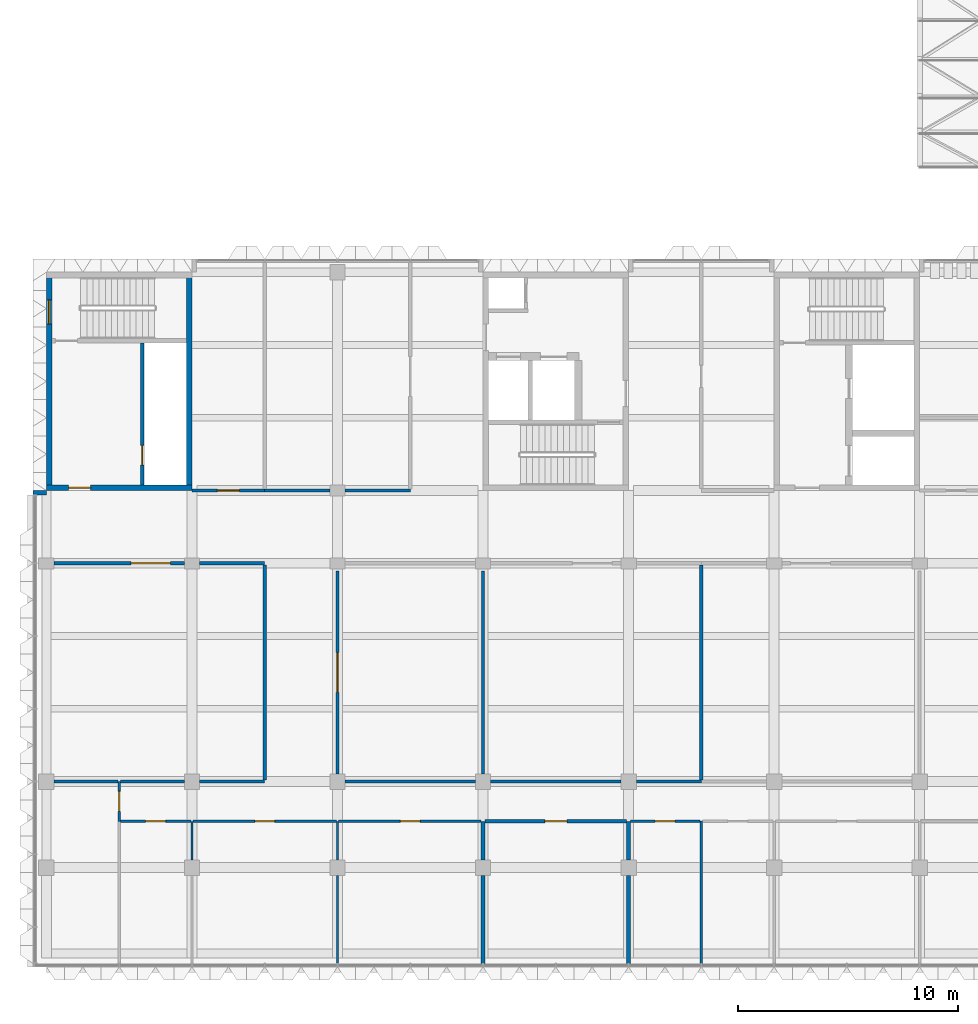
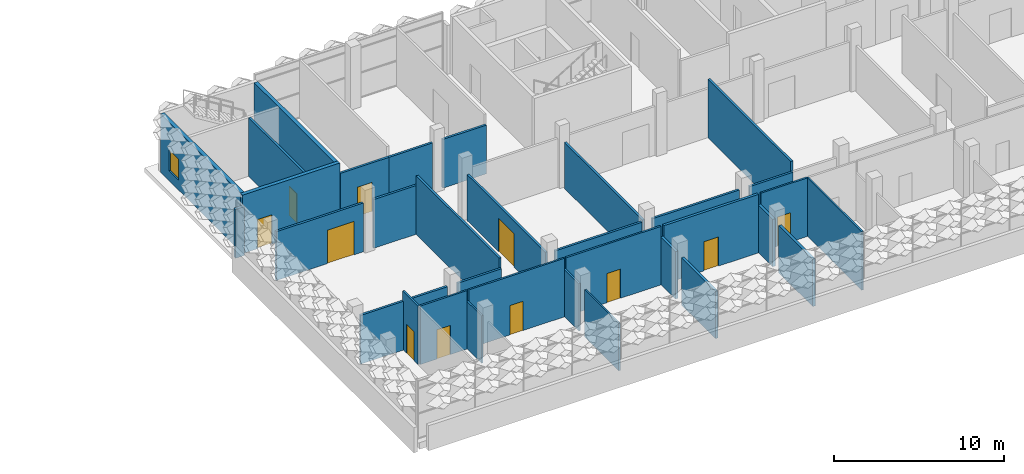
# One storey, part 25 of 85: 34 walls, 11 doors, 1 window, 12 openings.
"""IFC4 building model written with IfcOpenShell, lengths in metres."""

import ifcopenshell
import ifcopenshell.guid

model = None  # the IFC model being written
_history = None  # IfcOwnerHistory: only IFC2X3 demands one
_inside = {}  # id of a spatial element -> (the spatial element, [elements in it])
_under = {}  # id of a project, library or spatial element -> (it, [spatial elements below it])
_declared = {}  # id of a project -> (the project, [libraries it declares])
_typed = {}  # id of a type object -> (the type object, [elements of that type])
_made_of = {}  # id of a material, layer set ... -> (it, [elements and type objects made of it])


def new_model(schema):
    """Start an empty IFC model of exactly this schema.

    Asked for "IFC4X3", IfcOpenShell would pick the latest addendum, in which some entities
    have other attributes; the version numbers below select the first issue.
    IFC2X3 requires an IfcOwnerHistory on every rooted entity: one is made here for all.
    """
    global model, _history
    if schema == "IFC4X3":
        model = ifcopenshell.file(schema_version=(4, 3, 0, 0))
    else:
        model = ifcopenshell.file(schema=schema)
    _inside.clear()
    _under.clear()
    _declared.clear()
    _typed.clear()
    _made_of.clear()
    _history = None
    if model.schema == "IFC2X3":
        org = make("IfcOrganization", Name="unknown")
        user = make(
            "IfcPersonAndOrganization",
            ThePerson=make("IfcPerson", FamilyName="unknown"),
            TheOrganization=org,
        )
        app = make(
            "IfcApplication",
            ApplicationDeveloper=org,
            Version="unknown",
            ApplicationFullName="unknown",
            ApplicationIdentifier="unknown",
        )
        _history = make(
            "IfcOwnerHistory",
            OwningUser=user,
            OwningApplication=app,
            ChangeAction="ADDED",
            CreationDate=0,
        )
    return model


def make(cls, **values):
    """One entity of the class cls with the attributes given. An attribute that is None is left unset."""
    return model.create_entity(
        cls, **{name: value for name, value in values.items() if value is not None}
    )


def rooted(cls, **values):
    """An entity with a GlobalId (a new one), such as an element, a storey or a relation."""
    return make(cls, GlobalId=ifcopenshell.guid.new(), OwnerHistory=_history, **values)


def si_unit(unit_type, name, prefix=None):
    """IfcSIUnit, for example si_unit("LENGTHUNIT", "METRE", prefix="MILLI")."""
    return make("IfcSIUnit", UnitType=unit_type, Prefix=prefix, Name=name)


def assignment(units):
    """IfcUnitAssignment: the units of a project."""
    return None if units is None else make("IfcUnitAssignment", Units=units)


def point(xyz):
    """IfcCartesianPoint."""
    return None if xyz is None else make("IfcCartesianPoint", Coordinates=xyz)


def direction(xyz):
    """IfcDirection."""
    return None if xyz is None else make("IfcDirection", DirectionRatios=xyz)


def frame(location, z_axis=None, x_axis=None):
    """IfcAxis2Placement3D, a coordinate frame: its origin and axes. An axis left out is left unset."""
    return make(
        "IfcAxis2Placement3D",
        Location=point(location),
        Axis=direction(z_axis),
        RefDirection=direction(x_axis),
    )


def frame_2d(location, x_axis=None):
    """IfcAxis2Placement2D, a coordinate frame in the plane: its origin and x axis."""
    return make(
        "IfcAxis2Placement2D", Location=point(location), RefDirection=direction(x_axis)
    )


def origin():
    """The frame at (0, 0, 0) with its axes left unset."""
    return frame((0.0, 0.0, 0.0))


def place(relative_to, where):
    """IfcLocalPlacement: puts the frame where relative to a parent placement (None: the world)."""
    return make(
        "IfcLocalPlacement", PlacementRelTo=relative_to, RelativePlacement=where
    )


def context(
    kind, dimensions, precision=None, world=None, true_north=None, identifier=None
):
    """IfcGeometricRepresentationContext, for example the 3D "Model" context."""
    return make(
        "IfcGeometricRepresentationContext",
        ContextIdentifier=identifier,
        ContextType=kind,
        CoordinateSpaceDimension=dimensions,
        Precision=precision,
        WorldCoordinateSystem=world,
        TrueNorth=true_north,
    )


def subcontext(parent, identifier, kind, view, scale=None):
    """IfcGeometricRepresentationSubContext, for example "Body" below "Model"."""
    return make(
        "IfcGeometricRepresentationSubContext",
        ContextIdentifier=identifier,
        ContextType=kind,
        ParentContext=parent,
        TargetScale=scale,
        TargetView=view,
    )


def project(units=None, contexts=None):
    """IfcProject with its units and contexts."""
    return rooted(
        "IfcProject",
        Name="project",
        RepresentationContexts=contexts,
        UnitsInContext=assignment(units),
    )


def spatial(cls, under=None, at=None, **own):
    """A site, building, storey or space (cls), placed at a placement, below another one or the project."""
    s = rooted(cls, ObjectPlacement=at, **own)
    if under is not None:
        _under.setdefault(under.id(), (under, []))[1].append(s)
    return s


def profile(cls, at=None, kind="AREA", **sizes):
    """A parametric profile (cls). Its sizes go by their IFC names, for example OverallWidth=200.0."""
    return make(cls, ProfileType=kind, Position=at, **sizes)


def rectangle(**sizes):
    """IfcRectangleProfileDef."""
    return profile("IfcRectangleProfileDef", **sizes)


def extrude(swept, where, along, depth):
    """IfcExtrudedAreaSolid: the profile swept, set in the frame where, extruded along a direction by depth."""
    return make(
        "IfcExtrudedAreaSolid",
        SweptArea=swept,
        Position=where,
        ExtrudedDirection=direction(along),
        Depth=depth,
    )


def shape(context_of_items, identifier, shape_type, items):
    """IfcShapeRepresentation: the items that make up one representation, for example the "Body"."""
    return make(
        "IfcShapeRepresentation",
        ContextOfItems=context_of_items,
        RepresentationIdentifier=identifier,
        RepresentationType=shape_type,
        Items=items,
    )


def material(Name=None, Category=None):
    """IfcMaterial."""
    return make("IfcMaterial", Name=Name, Category=Category)


def layer(
    of_material, thickness, ventilated=None, Name=None, Category=None, Priority=None
):
    """IfcMaterialLayer: one layer of a wall or slab, of a material (None: an air gap)."""
    return make(
        "IfcMaterialLayer",
        Material=of_material,
        LayerThickness=thickness,
        IsVentilated=ventilated,
        Name=Name,
        Category=Category,
        Priority=Priority,
    )


def layer_set(layers, Name=None):
    """IfcMaterialLayerSet."""
    return make("IfcMaterialLayerSet", MaterialLayers=layers, LayerSetName=Name)


def made_of(thing, what):
    """Note that an element or type object is made of a material, layer set ...; save() writes the relation."""
    if what is not None:
        _made_of.setdefault(what.id(), (what, []))[1].append(thing)
    return thing


def type_object(cls, material=None, **own):
    """A type object (cls), such as IfcWallType, which elements share."""
    return made_of(rooted(cls, **own), material)


def element(
    cls,
    number,
    at=None,
    inside=None,
    cuts=None,
    type_object=None,
    material=None,
    context=None,
    identifier="Body",
    shape_type=None,
    held_by="IfcProductDefinitionShape",
    body=None,
    shapes=None,
    **own,
):
    """One element of the class cls, such as IfcWall. Its Tag is "e" and its number.

    at: its placement. inside: the storey or other place that contains it. cuts: it is an
    opening in that element (IfcRelVoidsElement). A single representation is given by context,
    identifier, shape_type and body (its items); several are given by shapes. held_by: the class
    of the entity that holds the representations. save() writes the other relations.
    """
    e = rooted(cls, Tag="e%d" % number, ObjectPlacement=at, **own)
    if body is not None:
        shapes = [shape(context, identifier, shape_type, body)]
    if shapes is not None:
        e.Representation = make(held_by, Representations=shapes)
    if inside is not None:
        _inside.setdefault(inside.id(), (inside, []))[1].append(e)
    if cuts is not None:
        rooted(
            "IfcRelVoidsElement", RelatingBuildingElement=cuts, RelatedOpeningElement=e
        )
    if type_object is not None:
        _typed.setdefault(type_object.id(), (type_object, []))[1].append(e)
    return made_of(e, material)


def fill(opening, filler):
    """IfcRelFillsElement: the door or window that sits in an opening."""
    return rooted(
        "IfcRelFillsElement",
        RelatingOpeningElement=opening,
        RelatedBuildingElement=filler,
    )


def aggregate(whole, parts):
    """IfcRelAggregates: a whole, such as a stair, and the parts it consists of."""
    return rooted("IfcRelAggregates", RelatingObject=whole, RelatedObjects=parts)


def save(model, path):
    """Write the relations noted so far, then the file.

    IfcRelAggregates (storeys below a building ...), IfcRelContainedInSpatialStructure (elements
    in a storey), IfcRelDefinesByType, IfcRelAssociatesMaterial and IfcRelDeclares: one each for
    every whole, place, type object, material and project.
    """
    for whole, parts in _under.values():
        aggregate(whole, parts)
    for where, things in _inside.values():
        rooted(
            "IfcRelContainedInSpatialStructure",
            RelatedElements=things,
            RelatingStructure=where,
        )
    for kind, things in _typed.values():
        rooted("IfcRelDefinesByType", RelatedObjects=things, RelatingType=kind)
    for what, things in _made_of.values():
        rooted("IfcRelAssociatesMaterial", RelatedObjects=things, RelatingMaterial=what)
    for by, libraries in _declared.values():
        rooted("IfcRelDeclares", RelatingContext=by, RelatedDefinitions=libraries)
    model.write(path)


model = new_model("IFC4")

# Units and contexts
model_context = context("Model", 3, precision=1e-05, world=origin(), true_north=direction((0.0, 1.0)))
body_context = subcontext(model_context, "Body", "Model", "MODEL_VIEW")
ifc_project = project(units=[si_unit("LENGTHUNIT", "METRE"), si_unit("AREAUNIT", "SQUARE_METRE"), si_unit("VOLUMEUNIT", "CUBIC_METRE"), si_unit("PLANEANGLEUNIT", "RADIAN"), si_unit("MASSUNIT", "GRAM", prefix="KILO")], contexts=[model_context])

# Site, building, storey
site_placement = place(None, origin())
site = spatial("IfcSite", under=ifc_project, at=site_placement, CompositionType="ELEMENT")
building_placement = place(site_placement, origin())
building = spatial("IfcBuilding", under=site, at=building_placement, Name="Lantern Court Research Institute", CompositionType="ELEMENT")
storey_placement = place(building_placement, frame((0.0, 0.0, 18.89990234375)))
storey = spatial("IfcBuildingStorey", under=building, at=storey_placement, Name="L04", CompositionType="ELEMENT", Elevation=18.89990234375)

# Walls
ifc_material_1 = material(Name="Double-stud acoustic gypsum board partition, mineral wool filled")
ifc_layer_1 = layer(ifc_material_1, 0.175048828125)
ifc_layer_set_1 = layer_set([ifc_layer_1], Name="Double-stud acoustic gypsum board partition, mineral wool filled")
wall_type_1 = type_object("IfcWallType", Name="Acoustic partition 175 EI 60", PredefinedType="PARTITIONING", material=ifc_layer_set_1)
wall_1_placement = place(storey_placement, frame((19.800048828125, -8.25, 0.0), z_axis=(0.0, 0.0, 1.0), x_axis=(0.0, 1.0, 0.0)))
element("IfcWall", 1, at=wall_1_placement, inside=storey, type_object=wall_type_1, Name="Acoustic partition 175 EI 60", PredefinedType="PARTITIONING", context=body_context, shape_type="SweptSolid", body=[
    extrude(rectangle(XDim=4.0, YDim=0.175048828125, at=frame_2d((2.0, 0.0))), origin(), (0.0, 0.0, 1.0), 3.400146484375),
])
wall_2_placement = place(storey_placement, frame((19.800048828125, -3.550048828125, 0.0), z_axis=(0.0, 0.0, 1.0), x_axis=(0.0, 1.0, 0.0)))
element("IfcWall", 2, at=wall_2_placement, inside=storey, type_object=wall_type_1, Name="Acoustic partition 175 EI 60", PredefinedType="PARTITIONING", context=body_context, shape_type="SweptSolid", body=[
    extrude(rectangle(XDim=1.75, YDim=0.175048828125, at=frame_2d((0.875, 0.0))), origin(), (0.0, 0.0, 1.0), 3.400146484375),
])
wall_3_placement = place(storey_placement, frame((26.39990234375, -8.25, 0.0), z_axis=(0.0, 0.0, 1.0), x_axis=(0.0, 1.0, 0.0)))
element("IfcWall", 3, at=wall_3_placement, inside=storey, type_object=wall_type_1, Name="Acoustic partition 175 EI 60", PredefinedType="PARTITIONING", context=body_context, shape_type="SweptSolid", body=[
    extrude(rectangle(XDim=4.0, YDim=0.175048828125, at=frame_2d((2.0, 0.0))), origin(), (0.0, 0.0, 1.0), 3.400146484375),
])
wall_4_placement = place(storey_placement, frame((26.39990234375, -3.550048828125, 0.0), z_axis=(0.0, 0.0, 1.0), x_axis=(0.0, 1.0, 0.0)))
element("IfcWall", 4, at=wall_4_placement, inside=storey, type_object=wall_type_1, Name="Acoustic partition 175 EI 60", PredefinedType="PARTITIONING", context=body_context, shape_type="SweptSolid", body=[
    extrude(rectangle(XDim=1.75, YDim=0.175048828125, at=frame_2d((0.875, 0.0))), origin(), (0.0, 0.0, 1.0), 3.400146484375),
])

# Wall, opening, door
wall_5_placement = place(storey_placement, frame((26.3125, -1.800048828125, 0.0), z_axis=(0.0, 0.0, 1.0), x_axis=(-1.0, 0.0, 0.0)))
wall_5 = element("IfcWall", 5, at=wall_5_placement, inside=storey, type_object=wall_type_1, Name="Acoustic partition 175 EI 60", PredefinedType="PARTITIONING", context=body_context, shape_type="SweptSolid", body=[
    extrude(rectangle(XDim=6.425048828125, YDim=0.175048828125, at=frame_2d((3.21240234375, 0.0))), origin(), (0.0, 0.0, 1.0), 4.2001953125),
])
opening_1_placement = place(wall_5_placement, frame((2.71240234375, 0.0, 0.0)))
opening_1 = element("IfcOpeningElement", 6, at=opening_1_placement, cuts=wall_5, Name="Opening D4416", PredefinedType="OPENING", context=body_context, shape_type="SweptSolid", body=[
    extrude(rectangle(XDim=1.0, YDim=2.10009765625, at=frame_2d((0.5, 1.050048828125))), frame((0.0, 0.097412109375, 0.0), z_axis=(0.0, -1.0, 0.0), x_axis=(1.0, 0.0, 0.0)), (0.0, 0.0, 1.0), 0.195068359375),
])
ifc_material_2 = material(Name="Solid-core timber door leaf", Category="wood")
ifc_layer_2 = layer(ifc_material_2, 0.053955078125)
ifc_layer_set_2 = layer_set([ifc_layer_2], Name="Solid-core timber door leaf")
door_type_1 = type_object("IfcDoorType", Name="Meeting room door 1000 x 2100 single FD30S", OperationType="NOTDEFINED", PredefinedType="DOOR", material=ifc_layer_set_2)
door_1_placement = place(opening_1_placement, origin())
door_1 = element("IfcDoor", 7, at=door_1_placement, inside=storey, type_object=door_type_1, Name="Door D4416", OperationType="SINGLE_SWING_LEFT", OverallHeight=2.10009765625, OverallWidth=1.0, PredefinedType="DOOR", context=body_context, shape_type="SweptSolid", body=[
    extrude(rectangle(XDim=1.0, YDim=2.10009765625, at=frame_2d((0.5, 1.050048828125))), frame((0.0, 0.02685546875, 0.0), z_axis=(0.0, -1.0, 0.0), x_axis=(1.0, 0.0, 0.0)), (0.0, 0.0, 1.0), 0.053955078125),
])
fill(opening_1, door_1)

ifc_material_3 = material(Name="Fire-rated gypsum board partition, mineral wool filled")
ifc_layer_3 = layer(ifc_material_3, 0.125)
ifc_layer_set_3 = layer_set([ifc_layer_3], Name="Fire-rated gypsum board partition, mineral wool filled")
wall_type_2 = type_object("IfcWallType", Name="Corridor partition 125 EI 60", PredefinedType="PARTITIONING", material=ifc_layer_set_3)
wall_6_placement = place(storey_placement, frame((3.300048828125, -1.800048828125, 0.0), z_axis=(0.0, 0.0, 1.0), x_axis=(0.0, 1.0, 0.0)))
wall_6 = element("IfcWall", 8, at=wall_6_placement, inside=storey, type_object=wall_type_2, Name="Corridor partition 125 EI 60", PredefinedType="PARTITIONING", context=body_context, shape_type="SweptSolid", body=[
    extrude(rectangle(XDim=1.800048828125, YDim=0.125, at=frame_2d((0.89990234375, 0.0))), origin(), (0.0, 0.0, 1.0), 4.2001953125),
])
opening_2_placement = place(wall_6_placement, frame((0.449951171875, 0.0, 0.0)))
opening_2 = element("IfcOpeningElement", 9, at=opening_2_placement, cuts=wall_6, Name="Opening D4412", PredefinedType="OPENING", context=body_context, shape_type="SweptSolid", body=[
    extrude(rectangle(XDim=0.89990234375, YDim=2.10009765625, at=frame_2d((0.449951171875, 1.050048828125))), frame((0.0, 0.072509765625, 0.0), z_axis=(0.0, -1.0, 0.0), x_axis=(1.0, 0.0, 0.0)), (0.0, 0.0, 1.0), 0.14501953125),
])
ifc_material_4 = material(Name="Solid-core timber door leaf", Category="wood")
ifc_layer_4 = layer(ifc_material_4, 0.053955078125)
ifc_layer_set_4 = layer_set([ifc_layer_4], Name="Solid-core timber door leaf")
door_type_2 = type_object("IfcDoorType", Name="Office door 900 x 2100 single FD30S", OperationType="NOTDEFINED", PredefinedType="DOOR", material=ifc_layer_set_4)
door_2_placement = place(opening_2_placement, origin())
door_2 = element("IfcDoor", 10, at=door_2_placement, inside=storey, type_object=door_type_2, Name="Door D4412", OperationType="SINGLE_SWING_LEFT", OverallHeight=2.10009765625, OverallWidth=0.89990234375, PredefinedType="DOOR", context=body_context, shape_type="SweptSolid", body=[
    extrude(rectangle(XDim=0.89990234375, YDim=2.10009765625, at=frame_2d((0.449951171875, 1.050048828125))), frame((0.0, 0.02685546875, 0.0), z_axis=(0.0, -1.0, 0.0), x_axis=(1.0, 0.0, 0.0)), (0.0, 0.0, 1.0), 0.053955078125),
])
fill(opening_2, door_2)

wall_7_placement = place(storey_placement, frame((6.544921875, -1.800048828125, 0.0), z_axis=(0.0, 0.0, 1.0), x_axis=(-1.0, 0.0, 0.0)))
wall_7 = element("IfcWall", 11, at=wall_7_placement, inside=storey, type_object=wall_type_2, Name="Corridor partition 125 EI 60", PredefinedType="PARTITIONING", context=body_context, shape_type="SweptSolid", body=[
    extrude(rectangle(XDim=3.182373046875, YDim=0.125, at=frame_2d((1.59130859375, 0.0))), origin(), (0.0, 0.0, 1.0), 4.2001953125),
])
opening_3_placement = place(wall_7_placement, frame((1.14501953125, 0.0, 0.0)))
opening_3 = element("IfcOpeningElement", 12, at=opening_3_placement, cuts=wall_7, Name="Opening D4413", PredefinedType="OPENING", context=body_context, shape_type="SweptSolid", body=[
    extrude(rectangle(XDim=0.89990234375, YDim=2.10009765625, at=frame_2d((0.449951171875, 1.050048828125))), frame((0.0, 0.072509765625, 0.0), z_axis=(0.0, -1.0, 0.0), x_axis=(1.0, 0.0, 0.0)), (0.0, 0.0, 1.0), 0.14501953125),
])
door_3_placement = place(opening_3_placement, origin())
door_3 = element("IfcDoor", 13, at=door_3_placement, inside=storey, type_object=door_type_2, Name="Door D4413", OperationType="SINGLE_SWING_LEFT", OverallHeight=2.10009765625, OverallWidth=0.89990234375, PredefinedType="DOOR", context=body_context, shape_type="SweptSolid", body=[
    extrude(rectangle(XDim=0.89990234375, YDim=2.10009765625, at=frame_2d((0.449951171875, 1.050048828125))), frame((0.0, 0.02685546875, 0.0), z_axis=(0.0, -1.0, 0.0), x_axis=(1.0, 0.0, 0.0)), (0.0, 0.0, 1.0), 0.053955078125),
])
fill(opening_3, door_3)

wall_8_placement = place(storey_placement, frame((13.14501953125, -1.800048828125, 0.0), z_axis=(0.0, 0.0, 1.0), x_axis=(-1.0, 0.0, 0.0)))
wall_8 = element("IfcWall", 14, at=wall_8_placement, inside=storey, type_object=wall_type_2, Name="Corridor partition 125 EI 60", PredefinedType="PARTITIONING", context=body_context, shape_type="SweptSolid", body=[
    extrude(rectangle(XDim=6.489990234375, YDim=0.125, at=frame_2d((3.2451171875, 0.0))), origin(), (0.0, 0.0, 1.0), 4.2001953125),
])
opening_4_placement = place(wall_8_placement, frame((2.794921875, 0.0, 0.0)))
opening_4 = element("IfcOpeningElement", 15, at=opening_4_placement, cuts=wall_8, Name="Opening D4414", PredefinedType="OPENING", context=body_context, shape_type="SweptSolid", body=[
    extrude(rectangle(XDim=0.89990234375, YDim=2.10009765625, at=frame_2d((0.449951171875, 1.050048828125))), frame((0.0, 0.072509765625, 0.0), z_axis=(0.0, -1.0, 0.0), x_axis=(1.0, 0.0, 0.0)), (0.0, 0.0, 1.0), 0.14501953125),
])
door_4_placement = place(opening_4_placement, origin())
door_4 = element("IfcDoor", 16, at=door_4_placement, inside=storey, type_object=door_type_2, Name="Door D4414", OperationType="SINGLE_SWING_LEFT", OverallHeight=2.10009765625, OverallWidth=0.89990234375, PredefinedType="DOOR", context=body_context, shape_type="SweptSolid", body=[
    extrude(rectangle(XDim=0.89990234375, YDim=2.10009765625, at=frame_2d((0.449951171875, 1.050048828125))), frame((0.0, 0.02685546875, 0.0), z_axis=(0.0, -1.0, 0.0), x_axis=(1.0, 0.0, 0.0)), (0.0, 0.0, 1.0), 0.053955078125),
])
fill(opening_4, door_4)

wall_9_placement = place(storey_placement, frame((19.71240234375, -1.800048828125, 0.0), z_axis=(0.0, 0.0, 1.0), x_axis=(-1.0, 0.0, 0.0)))
wall_9 = element("IfcWall", 17, at=wall_9_placement, inside=storey, type_object=wall_type_2, Name="Corridor partition 125 EI 60", PredefinedType="PARTITIONING", context=body_context, shape_type="SweptSolid", body=[
    extrude(rectangle(XDim=6.45751953125, YDim=0.125, at=frame_2d((3.228759765625, 0.0))), origin(), (0.0, 0.0, 1.0), 4.2001953125),
])
opening_5_placement = place(wall_9_placement, frame((2.762451171875, 0.0, 0.0)))
opening_5 = element("IfcOpeningElement", 18, at=opening_5_placement, cuts=wall_9, Name="Opening D4415", PredefinedType="OPENING", context=body_context, shape_type="SweptSolid", body=[
    extrude(rectangle(XDim=0.89990234375, YDim=2.10009765625, at=frame_2d((0.449951171875, 1.050048828125))), frame((0.0, 0.072509765625, 0.0), z_axis=(0.0, -1.0, 0.0), x_axis=(1.0, 0.0, 0.0)), (0.0, 0.0, 1.0), 0.14501953125),
])
door_5_placement = place(opening_5_placement, origin())
door_5 = element("IfcDoor", 19, at=door_5_placement, inside=storey, type_object=door_type_2, Name="Door D4415", OperationType="SINGLE_SWING_LEFT", OverallHeight=2.10009765625, OverallWidth=0.89990234375, PredefinedType="DOOR", context=body_context, shape_type="SweptSolid", body=[
    extrude(rectangle(XDim=0.89990234375, YDim=2.10009765625, at=frame_2d((0.449951171875, 1.050048828125))), frame((0.0, 0.02685546875, 0.0), z_axis=(0.0, -1.0, 0.0), x_axis=(1.0, 0.0, 0.0)), (0.0, 0.0, 1.0), 0.053955078125),
])
fill(opening_5, door_5)

wall_10_placement = place(storey_placement, frame((29.64501953125, -1.800048828125, 0.0), z_axis=(0.0, 0.0, 1.0), x_axis=(-1.0, 0.0, 0.0)))
wall_10 = element("IfcWall", 20, at=wall_10_placement, inside=storey, type_object=wall_type_2, Name="Corridor partition 125 EI 60", PredefinedType="PARTITIONING", context=body_context, shape_type="SweptSolid", body=[
    extrude(rectangle(XDim=3.157470703125, YDim=0.125, at=frame_2d((1.57861328125, 0.0))), origin(), (0.0, 0.0, 1.0), 4.2001953125),
])
opening_6_placement = place(wall_10_placement, frame((1.14501953125, 0.0, 0.0)))
opening_6 = element("IfcOpeningElement", 21, at=opening_6_placement, cuts=wall_10, Name="Opening D4417", PredefinedType="OPENING", context=body_context, shape_type="SweptSolid", body=[
    extrude(rectangle(XDim=0.89990234375, YDim=2.10009765625, at=frame_2d((0.449951171875, 1.050048828125))), frame((0.0, 0.072509765625, 0.0), z_axis=(0.0, -1.0, 0.0), x_axis=(1.0, 0.0, 0.0)), (0.0, 0.0, 1.0), 0.14501953125),
])
door_6_placement = place(opening_6_placement, origin())
door_6 = element("IfcDoor", 22, at=door_6_placement, inside=storey, type_object=door_type_2, Name="Door D4417", OperationType="SINGLE_SWING_LEFT", OverallHeight=2.10009765625, OverallWidth=0.89990234375, PredefinedType="DOOR", context=body_context, shape_type="SweptSolid", body=[
    extrude(rectangle(XDim=0.89990234375, YDim=2.10009765625, at=frame_2d((0.449951171875, 1.050048828125))), frame((0.0, 0.02685546875, 0.0), z_axis=(0.0, -1.0, 0.0), x_axis=(1.0, 0.0, 0.0)), (0.0, 0.0, 1.0), 0.053955078125),
])
fill(opening_6, door_6)

ifc_material_5 = material(Name="Fire-rated gypsum board partition, mineral wool filled")
ifc_layer_5 = layer(ifc_material_5, 0.14990234375)
ifc_layer_set_5 = layer_set([ifc_layer_5], Name="Fire-rated gypsum board partition, mineral wool filled")
wall_type_3 = type_object("IfcWallType", Name="Laboratory partition 150 EI 60", PredefinedType="PARTITIONING", material=ifc_layer_set_5)
wall_11_placement = place(storey_placement, frame((9.89990234375, 13.199951171875, 0.0), z_axis=(0.0, 0.0, 1.0), x_axis=(-1.0, 0.0, 0.0)))
wall_11 = element("IfcWall", 23, at=wall_11_placement, inside=storey, type_object=wall_type_3, Name="Laboratory partition 150 EI 60", PredefinedType="PARTITIONING", context=body_context, shape_type="SweptSolid", body=[
    extrude(rectangle(XDim=3.2998046875, YDim=0.14990234375, at=frame_2d((1.64990234375, 0.0))), origin(), (0.0, 0.0, 1.0), 3.5),
])
opening_7_placement = place(wall_11_placement, frame((1.14990234375, 0.0, 0.0)))
opening_7 = element("IfcOpeningElement", 24, at=opening_7_placement, cuts=wall_11, Name="Opening D4402", PredefinedType="OPENING", context=body_context, shape_type="SweptSolid", body=[
    extrude(rectangle(XDim=1.0, YDim=2.10009765625, at=frame_2d((0.5, 1.050048828125))), frame((0.0, 0.0849609375, 0.0), z_axis=(0.0, -1.0, 0.0), x_axis=(1.0, 0.0, 0.0)), (0.0, 0.0, 1.0), 0.169921875),
])
ifc_material_6 = material(Name="Solid-core timber door leaf with vision panel", Category="wood")
ifc_layer_6 = layer(ifc_material_6, 0.053955078125)
ifc_layer_set_6 = layer_set([ifc_layer_6], Name="Solid-core timber door leaf with vision panel")
door_type_3 = type_object("IfcDoorType", Name="Laboratory door 1000 x 2100 single FD30S", OperationType="NOTDEFINED", PredefinedType="DOOR", material=ifc_layer_set_6)
door_7_placement = place(opening_7_placement, origin())
door_7 = element("IfcDoor", 25, at=door_7_placement, inside=storey, type_object=door_type_3, Name="Door D4402", OperationType="SINGLE_SWING_LEFT", OverallHeight=2.10009765625, OverallWidth=1.0, PredefinedType="DOOR", context=body_context, shape_type="SweptSolid", body=[
    extrude(rectangle(XDim=1.0, YDim=2.10009765625, at=frame_2d((0.5, 1.050048828125))), frame((0.0, 0.02685546875, 0.0), z_axis=(0.0, -1.0, 0.0), x_axis=(1.0, 0.0, 0.0)), (0.0, 0.0, 1.0), 0.053955078125),
])
fill(opening_7, door_7)

# Walls
wall_12_placement = place(storey_placement, frame((16.5, 13.199951171875, 0.0), z_axis=(0.0, 0.0, 1.0), x_axis=(-1.0, 0.0, 0.0)))
element("IfcWall", 26, at=wall_12_placement, inside=storey, type_object=wall_type_3, Name="Laboratory partition 150 EI 60", PredefinedType="PARTITIONING", context=body_context, shape_type="SweptSolid", body=[
    extrude(rectangle(XDim=2.949951171875, YDim=0.14990234375, at=frame_2d((1.47509765625, 0.0))), origin(), (0.0, 0.0, 1.0), 3.5),
])
wall_13_placement = place(storey_placement, frame((12.85009765625, 13.199951171875, 0.0), z_axis=(0.0, 0.0, 1.0), x_axis=(-1.0, 0.0, 0.0)))
element("IfcWall", 27, at=wall_13_placement, inside=storey, type_object=wall_type_3, Name="Laboratory partition 150 EI 60", PredefinedType="PARTITIONING", context=body_context, shape_type="SweptSolid", body=[
    extrude(rectangle(XDim=2.9501953125, YDim=0.14990234375, at=frame_2d((1.47509765625, 0.0))), origin(), (0.0, 0.0, 1.0), 3.5),
])

# Wall, opening, door
wall_14_placement = place(storey_placement, frame((0.35009765625, 9.89990234375, 0.0), z_axis=(0.0, 0.0, 1.0), x_axis=(1.0, 0.0, 0.0)))
wall_14 = element("IfcWall", 28, at=wall_14_placement, inside=storey, type_object=wall_type_3, Name="Laboratory partition 150 EI 60", PredefinedType="PARTITIONING", context=body_context, shape_type="SweptSolid", body=[
    extrude(rectangle(XDim=5.89990234375, YDim=0.14990234375, at=frame_2d((2.949951171875, 0.0))), origin(), (0.0, 0.0, 1.0), 3.5),
])
opening_8_placement = place(wall_14_placement, frame((3.47509765625, 0.0, 0.0)))
opening_8 = element("IfcOpeningElement", 29, at=opening_8_placement, cuts=wall_14, Name="Opening D4422", PredefinedType="OPENING", context=body_context, shape_type="SweptSolid", body=[
    extrude(rectangle(XDim=1.800048828125, YDim=2.39990234375, at=frame_2d((0.89990234375, 1.199951171875))), frame((0.0, 0.0849609375, 0.0), z_axis=(0.0, -1.0, 0.0), x_axis=(1.0, 0.0, 0.0)), (0.0, 0.0, 1.0), 0.169921875),
])
ifc_material_7 = material(Name="Solid-core timber door leaf with vision panel", Category="wood")
ifc_layer_7 = layer(ifc_material_7, 0.053955078125)
ifc_layer_set_7 = layer_set([ifc_layer_7], Name="Solid-core timber door leaf with vision panel")
door_type_4 = type_object("IfcDoorType", Name="Laboratory equipment door 1800 x 2400 pair FD30S", OperationType="DOUBLE_DOOR_SINGLE_SWING", PredefinedType="DOOR", material=ifc_layer_set_7)
door_8_placement = place(opening_8_placement, origin())
door_8 = element("IfcDoor", 30, at=door_8_placement, inside=storey, type_object=door_type_4, Name="Door D4422", OperationType="DOUBLE_DOOR_SINGLE_SWING", OverallHeight=2.39990234375, OverallWidth=1.800048828125, PredefinedType="DOOR", context=body_context, shape_type="SweptSolid", body=[
    extrude(rectangle(XDim=1.800048828125, YDim=2.39990234375, at=frame_2d((0.89990234375, 1.199951171875))), frame((0.0, 0.02685546875, 0.0), z_axis=(0.0, -1.0, 0.0), x_axis=(1.0, 0.0, 0.0)), (0.0, 0.0, 1.0), 0.053955078125),
])
fill(opening_8, door_8)

# Walls
wall_15_placement = place(storey_placement, frame((6.949951171875, 9.89990234375, 0.0), z_axis=(0.0, 0.0, 1.0), x_axis=(1.0, 0.0, 0.0)))
element("IfcWall", 31, at=wall_15_placement, inside=storey, type_object=wall_type_3, Name="Laboratory partition 150 EI 60", PredefinedType="PARTITIONING", context=body_context, shape_type="SweptSolid", body=[
    extrude(rectangle(XDim=2.949951171875, YDim=0.14990234375, at=frame_2d((1.47509765625, 0.0))), origin(), (0.0, 0.0, 1.0), 3.5),
])
wall_16_placement = place(storey_placement, frame((3.237548828125, 0.0, 0.0), z_axis=(0.0, 0.0, 1.0), x_axis=(-1.0, 0.0, 0.0)))
element("IfcWall", 32, at=wall_16_placement, inside=storey, type_object=wall_type_3, Name="Laboratory partition 150 EI 60", PredefinedType="PARTITIONING", context=body_context, shape_type="SweptSolid", body=[
    extrude(rectangle(XDim=2.887451171875, YDim=0.14990234375, at=frame_2d((1.44384765625, 0.0))), origin(), (0.0, 0.0, 1.0), 3.5),
])
wall_17_placement = place(storey_placement, frame((9.89990234375, 0.0, 0.0), z_axis=(0.0, 0.0, 1.0), x_axis=(-1.0, 0.0, 0.0)))
element("IfcWall", 33, at=wall_17_placement, inside=storey, type_object=wall_type_3, Name="Laboratory partition 150 EI 60", PredefinedType="PARTITIONING", context=body_context, shape_type="SweptSolid", body=[
    extrude(rectangle(XDim=2.949951171875, YDim=0.14990234375, at=frame_2d((1.47509765625, 0.0))), origin(), (0.0, 0.0, 1.0), 3.5),
])
wall_18_placement = place(storey_placement, frame((6.25, 0.0, 0.0), z_axis=(0.0, 0.0, 1.0), x_axis=(-1.0, 0.0, 0.0)))
element("IfcWall", 34, at=wall_18_placement, inside=storey, type_object=wall_type_3, Name="Laboratory partition 150 EI 60", PredefinedType="PARTITIONING", context=body_context, shape_type="SweptSolid", body=[
    extrude(rectangle(XDim=2.887451171875, YDim=0.14990234375, at=frame_2d((1.44384765625, 0.0))), origin(), (0.0, 0.0, 1.0), 3.5),
])
wall_19_placement = place(storey_placement, frame((19.449951171875, 0.0, 0.0), z_axis=(0.0, 0.0, 1.0), x_axis=(-1.0, 0.0, 0.0)))
element("IfcWall", 35, at=wall_19_placement, inside=storey, type_object=wall_type_3, Name="Laboratory partition 150 EI 60", PredefinedType="PARTITIONING", context=body_context, shape_type="SweptSolid", body=[
    extrude(rectangle(XDim=5.89990234375, YDim=0.14990234375, at=frame_2d((2.949951171875, 0.0))), origin(), (0.0, 0.0, 1.0), 3.5),
])
wall_20_placement = place(storey_placement, frame((29.699951171875, 0.0, 0.0), z_axis=(0.0, 0.0, 1.0), x_axis=(-1.0, 0.0, 0.0)))
element("IfcWall", 36, at=wall_20_placement, inside=storey, type_object=wall_type_3, Name="Laboratory partition 150 EI 60", PredefinedType="PARTITIONING", context=body_context, shape_type="SweptSolid", body=[
    extrude(rectangle(XDim=2.949951171875, YDim=0.14990234375, at=frame_2d((1.47509765625, 0.0))), origin(), (0.0, 0.0, 1.0), 3.5),
])
wall_21_placement = place(storey_placement, frame((26.050048828125, 0.0, 0.0), z_axis=(0.0, 0.0, 1.0), x_axis=(-1.0, 0.0, 0.0)))
element("IfcWall", 37, at=wall_21_placement, inside=storey, type_object=wall_type_3, Name="Laboratory partition 150 EI 60", PredefinedType="PARTITIONING", context=body_context, shape_type="SweptSolid", body=[
    extrude(rectangle(XDim=5.900146484375, YDim=0.14990234375, at=frame_2d((2.9501953125, 0.0))), origin(), (0.0, 0.0, 1.0), 3.5),
])
wall_22_placement = place(storey_placement, frame((9.89990234375, 0.074951171875, 0.0), z_axis=(0.0, 0.0, 1.0), x_axis=(0.0, 1.0, 0.0)))
element("IfcWall", 38, at=wall_22_placement, inside=storey, type_object=wall_type_3, Name="Laboratory partition 150 EI 60", PredefinedType="PARTITIONING", context=body_context, shape_type="SweptSolid", body=[
    extrude(rectangle(XDim=9.75, YDim=0.14990234375, at=frame_2d((4.875, 0.0))), origin(), (0.0, 0.0, 1.0), 4.2001953125),
])

# Wall, opening, door
wall_23_placement = place(storey_placement, frame((13.199951171875, 0.35009765625, 0.0), z_axis=(0.0, 0.0, 1.0), x_axis=(0.0, 1.0, 0.0)))
wall_23 = element("IfcWall", 39, at=wall_23_placement, inside=storey, type_object=wall_type_3, Name="Laboratory partition 150 EI 60", PredefinedType="PARTITIONING", context=body_context, shape_type="SweptSolid", body=[
    extrude(rectangle(XDim=9.199951171875, YDim=0.14990234375, at=frame_2d((4.60009765625, 0.0))), origin(), (0.0, 0.0, 1.0), 3.300048828125),
])
opening_9_placement = place(wall_23_placement, frame((3.699951171875, 0.0, 0.0)))
opening_9 = element("IfcOpeningElement", 40, at=opening_9_placement, cuts=wall_23, Name="Opening D4423", PredefinedType="OPENING", context=body_context, shape_type="SweptSolid", body=[
    extrude(rectangle(XDim=1.800048828125, YDim=2.39990234375, at=frame_2d((0.89990234375, 1.199951171875))), frame((0.0, 0.0849609375, 0.0), z_axis=(0.0, -1.0, 0.0), x_axis=(1.0, 0.0, 0.0)), (0.0, 0.0, 1.0), 0.169921875),
])
door_9_placement = place(opening_9_placement, origin())
door_9 = element("IfcDoor", 41, at=door_9_placement, inside=storey, type_object=door_type_4, Name="Door D4423", OperationType="DOUBLE_DOOR_SINGLE_SWING", OverallHeight=2.39990234375, OverallWidth=1.800048828125, PredefinedType="DOOR", context=body_context, shape_type="SweptSolid", body=[
    extrude(rectangle(XDim=1.800048828125, YDim=2.39990234375, at=frame_2d((0.89990234375, 1.199951171875))), frame((0.0, 0.02685546875, 0.0), z_axis=(0.0, -1.0, 0.0), x_axis=(1.0, 0.0, 0.0)), (0.0, 0.0, 1.0), 0.053955078125),
])
fill(opening_9, door_9)

# Walls
wall_24_placement = place(storey_placement, frame((19.800048828125, 0.35009765625, 0.0), z_axis=(0.0, 0.0, 1.0), x_axis=(0.0, 1.0, 0.0)))
element("IfcWall", 42, at=wall_24_placement, inside=storey, type_object=wall_type_3, Name="Laboratory partition 150 EI 60", PredefinedType="PARTITIONING", context=body_context, shape_type="SweptSolid", body=[
    extrude(rectangle(XDim=9.199951171875, YDim=0.14990234375, at=frame_2d((4.60009765625, 0.0))), origin(), (0.0, 0.0, 1.0), 3.300048828125),
])
wall_25_placement = place(storey_placement, frame((29.699951171875, 0.074951171875, 0.0), z_axis=(0.0, 0.0, 1.0), x_axis=(0.0, 1.0, 0.0)))
element("IfcWall", 43, at=wall_25_placement, inside=storey, type_object=wall_type_3, Name="Laboratory partition 150 EI 60", PredefinedType="PARTITIONING", context=body_context, shape_type="SweptSolid", body=[
    extrude(rectangle(XDim=9.75, YDim=0.14990234375, at=frame_2d((4.875, 0.0))), origin(), (0.0, 0.0, 1.0), 4.2001953125),
])
ifc_material_8 = material(Name="Fire-rated gypsum board partition, mineral wool filled")
ifc_layer_8 = layer(ifc_material_8, 0.110107421875)
ifc_layer_set_8 = layer_set([ifc_layer_8], Name="Fire-rated gypsum board partition, mineral wool filled")
wall_type_4 = type_object("IfcWallType", Name="Office partition 110 EI 30", PredefinedType="PARTITIONING", material=ifc_layer_set_8)
wall_26_placement = place(storey_placement, frame((6.60009765625, -3.550048828125, 0.0), z_axis=(0.0, 0.0, 1.0), x_axis=(0.0, 1.0, 0.0)))
element("IfcWall", 44, at=wall_26_placement, inside=storey, type_object=wall_type_4, Name="Office partition 110 EI 30", PredefinedType="PARTITIONING", context=body_context, shape_type="SweptSolid", body=[
    extrude(rectangle(XDim=1.75, YDim=0.110107421875, at=frame_2d((0.875, 0.0))), origin(), (0.0, 0.0, 1.0), 3.400146484375),
])
wall_27_placement = place(storey_placement, frame((13.199951171875, -8.25, 0.0), z_axis=(0.0, 0.0, 1.0), x_axis=(0.0, 1.0, 0.0)))
element("IfcWall", 45, at=wall_27_placement, inside=storey, type_object=wall_type_4, Name="Office partition 110 EI 30", PredefinedType="PARTITIONING", context=body_context, shape_type="SweptSolid", body=[
    extrude(rectangle(XDim=4.0, YDim=0.110107421875, at=frame_2d((2.0, 0.0))), origin(), (0.0, 0.0, 1.0), 3.400146484375),
])
wall_28_placement = place(storey_placement, frame((13.199951171875, -3.550048828125, 0.0), z_axis=(0.0, 0.0, 1.0), x_axis=(0.0, 1.0, 0.0)))
element("IfcWall", 46, at=wall_28_placement, inside=storey, type_object=wall_type_4, Name="Office partition 110 EI 30", PredefinedType="PARTITIONING", context=body_context, shape_type="SweptSolid", body=[
    extrude(rectangle(XDim=1.75, YDim=0.110107421875, at=frame_2d((0.875, 0.0))), origin(), (0.0, 0.0, 1.0), 3.400146484375),
])
wall_29_placement = place(storey_placement, frame((29.699951171875, -8.25, 0.0), z_axis=(0.0, 0.0, 1.0), x_axis=(0.0, 1.0, 0.0)))
element("IfcWall", 47, at=wall_29_placement, inside=storey, type_object=wall_type_4, Name="Office partition 110 EI 30", PredefinedType="PARTITIONING", context=body_context, shape_type="SweptSolid", body=[
    extrude(rectangle(XDim=6.449951171875, YDim=0.110107421875, at=frame_2d((3.22509765625, 0.0))), origin(), (0.0, 0.0, 1.0), 4.2001953125),
])

# Wall, opening, door
ifc_material_9 = material(Name="Concrete C40/50", Category="concrete")
ifc_layer_9 = layer(ifc_material_9, 0.25)
ifc_layer_set_9 = layer_set([ifc_layer_9], Name="Concrete C40/50")
wall_type_5 = type_object("IfcWallType", Name="RC core wall 250", PredefinedType="SHEAR", material=ifc_layer_set_9)
wall_30_placement = place(storey_placement, frame((0.0, 13.324951171875, 0.0), z_axis=(0.0, 0.0, 1.0), x_axis=(1.0, 0.0, 0.0)))
wall_30 = element("IfcWall", 48, at=wall_30_placement, inside=storey, type_object=wall_type_5, Name="South wall of core BC-W", PredefinedType="SHEAR", context=body_context, shape_type="SweptSolid", body=[
    extrude(rectangle(XDim=6.60009765625, YDim=0.25, at=frame_2d((3.300048828125, 0.0))), origin(), (0.0, 0.0, 1.0), 4.2001953125),
])
opening_10_placement = place(wall_30_placement, frame((1.0, 0.0, 0.0)))
opening_10 = element("IfcOpeningElement", 49, at=opening_10_placement, cuts=wall_30, Name="Opening D7018", PredefinedType="OPENING", context=body_context, shape_type="SweptSolid", body=[
    extrude(rectangle(XDim=1.0, YDim=2.10009765625, at=frame_2d((0.5, 1.050048828125))), frame((0.0, 0.135009765625, 0.0), z_axis=(0.0, -1.0, 0.0), x_axis=(1.0, 0.0, 0.0)), (0.0, 0.0, 1.0), 0.27001953125),
])
ifc_material_10 = material(Name="Steel fire door leaf with smoke seals", Category="steel")
door_type_5 = type_object("IfcDoorType", Name="Door 1000 x 2100 fire rated FD60S", OperationType="NOTDEFINED", PredefinedType="DOOR", material=ifc_material_10)
door_10_placement = place(opening_10_placement, origin())
door_10 = element("IfcDoor", 50, at=door_10_placement, inside=storey, type_object=door_type_5, Name="Lobby door", OperationType="SINGLE_SWING_RIGHT", OverallHeight=2.10009765625, OverallWidth=1.0, PredefinedType="DOOR", context=body_context, shape_type="SweptSolid", body=[
    extrude(rectangle(XDim=1.0, YDim=2.10009765625, at=frame_2d((0.5, 1.050048828125))), frame((0.0, 0.02490234375, 0.0), z_axis=(0.0, -1.0, 0.0), x_axis=(1.0, 0.0, 0.0)), (0.0, 0.0, 1.0), 0.050048828125),
])
fill(opening_10, door_10)

# Wall
wall_31_placement = place(storey_placement, frame((6.47509765625, 13.449951171875, 0.0), z_axis=(0.0, 0.0, 1.0), x_axis=(0.0, 1.0, 0.0)))
element("IfcWall", 51, at=wall_31_placement, inside=storey, type_object=wall_type_5, Name="East wall of core BC-W", PredefinedType="SHEAR", context=body_context, shape_type="SweptSolid", body=[
    extrude(rectangle(XDim=9.400146484375, YDim=0.25, at=frame_2d((4.7001953125, 0.0))), origin(), (0.0, 0.0, 1.0), 4.2001953125),
])

# Wall, opening, window
ifc_material_11 = material(Name="Concrete C40/50", Category="concrete")
ifc_layer_10 = layer(ifc_material_11, 0.25)
ifc_layer_set_10 = layer_set([ifc_layer_10], Name="Concrete C40/50")
wall_type_6 = type_object("IfcWallType", Name="RC core wall 250 facade", PredefinedType="SHEAR", material=ifc_layer_set_10)
wall_32_placement = place(storey_placement, frame((0.125, 13.449951171875, 0.0), z_axis=(0.0, 0.0, 1.0), x_axis=(0.0, 1.0, 0.0)))
wall_32 = element("IfcWall", 52, at=wall_32_placement, inside=storey, type_object=wall_type_6, Name="West wall of core BC-W", PredefinedType="SHEAR", context=body_context, shape_type="SweptSolid", body=[
    extrude(rectangle(XDim=9.400146484375, YDim=0.25, at=frame_2d((4.7001953125, 0.0))), origin(), (0.0, 0.0, 1.0), 4.2001953125),
])
opening_11_placement = place(wall_32_placement, frame((7.300048828125, 0.0, 0.699951171875)))
opening_11 = element("IfcOpeningElement", 53, at=opening_11_placement, cuts=wall_32, Name="Opening W5", PredefinedType="OPENING", context=body_context, shape_type="SweptSolid", body=[
    extrude(rectangle(XDim=1.10009765625, YDim=1.5, at=frame_2d((0.550048828125, 0.75))), frame((0.0, 0.135009765625, 0.0), z_axis=(0.0, -1.0, 0.0), x_axis=(1.0, 0.0, 0.0)), (0.0, 0.0, 1.0), 0.27001953125),
])
ifc_material_12 = material(Name="Aluminium alloy 6063-T6 frame with laminated glass", Category="aluminium")
window_type = type_object("IfcWindowType", Name="Stair window 1100 x 1500", PartitioningType="SINGLE_PANEL", PredefinedType="WINDOW", material=ifc_material_12)
window_placement = place(opening_11_placement, origin())
window = element("IfcWindow", 54, at=window_placement, inside=storey, type_object=window_type, Name="Stair window", OverallHeight=1.5, OverallWidth=1.10009765625, PartitioningType="SINGLE_PANEL", PredefinedType="WINDOW", context=body_context, shape_type="SweptSolid", body=[
    extrude(rectangle(XDim=1.10009765625, YDim=1.5, at=frame_2d((0.550048828125, 0.75))), frame((0.0, 0.030029296875, 0.0), z_axis=(0.0, -1.0, 0.0), x_axis=(1.0, 0.0, 0.0)), (0.0, 0.0, 1.0), 0.06005859375),
])
fill(opening_11, window)

# Wall, opening, door
ifc_material_13 = material(Name="Concrete C40/50", Category="concrete")
ifc_layer_11 = layer(ifc_material_13, 0.14990234375)
ifc_layer_set_11 = layer_set([ifc_layer_11], Name="Concrete C40/50")
wall_type_7 = type_object("IfcWallType", Name="RC shaft wall 150", PredefinedType="SHEAR", material=ifc_layer_set_11)
wall_33_placement = place(storey_placement, frame((4.35009765625, 13.449951171875, 0.0), z_axis=(0.0, 0.0, 1.0), x_axis=(0.0, 1.0, 0.0)))
wall_33 = element("IfcWall", 55, at=wall_33_placement, inside=storey, type_object=wall_type_7, Name="Riser wall of core BC-W", PredefinedType="SHEAR", context=body_context, shape_type="SweptSolid", body=[
    extrude(rectangle(XDim=6.449951171875, YDim=0.14990234375, at=frame_2d((3.22509765625, 0.0))), origin(), (0.0, 0.0, 1.0), 4.2001953125),
])
opening_12_placement = place(wall_33_placement, frame((0.89990234375, 0.0, 0.0)))
opening_12 = element("IfcOpeningElement", 56, at=opening_12_placement, cuts=wall_33, Name="Opening D7017", PredefinedType="OPENING", context=body_context, shape_type="SweptSolid", body=[
    extrude(rectangle(XDim=0.89990234375, YDim=2.10009765625, at=frame_2d((0.449951171875, 1.050048828125))), frame((0.0, 0.0849609375, 0.0), z_axis=(0.0, -1.0, 0.0), x_axis=(1.0, 0.0, 0.0)), (0.0, 0.0, 1.0), 0.169921875),
])
ifc_material_14 = material(Name="Steel fire door leaf", Category="steel")
door_type_6 = type_object("IfcDoorType", Name="Door 900 x 2100 fire rated FD60", OperationType="NOTDEFINED", PredefinedType="DOOR", material=ifc_material_14)
door_11_placement = place(opening_12_placement, origin())
door_11 = element("IfcDoor", 57, at=door_11_placement, inside=storey, type_object=door_type_6, Name="Riser door", OperationType="SINGLE_SWING_RIGHT", OverallHeight=2.10009765625, OverallWidth=0.89990234375, PredefinedType="DOOR", context=body_context, shape_type="SweptSolid", body=[
    extrude(rectangle(XDim=0.89990234375, YDim=2.10009765625, at=frame_2d((0.449951171875, 1.050048828125))), frame((0.0, 0.02490234375, 0.0), z_axis=(0.0, -1.0, 0.0), x_axis=(1.0, 0.0, 0.0)), (0.0, 0.0, 1.0), 0.050048828125),
])
fill(opening_12, door_11)

# Wall
ifc_material_15 = material(Name="Concrete C40/50", Category="concrete")
ifc_layer_12 = layer(ifc_material_15, 0.199951171875)
ifc_layer_set_12 = layer_set([ifc_layer_12], Name="Concrete C40/50")
wall_type_8 = type_object("IfcWallType", Name="Return wall 200 concrete EI 120 aluminium faced", PredefinedType="STANDARD", material=ifc_layer_set_12)
wall_34_placement = place(storey_placement, frame((0.0, 13.10009765625, 0.0), z_axis=(0.0, 0.0, 1.0), x_axis=(-1.0, 0.0, 0.0)))
element("IfcWall", 58, at=wall_34_placement, inside=storey, type_object=wall_type_8, Name="Core return wall 47", PredefinedType="STANDARD", context=body_context, shape_type="SweptSolid", body=[
    extrude(rectangle(XDim=0.60009765625, YDim=0.199951171875, at=frame_2d((0.300048828125, 0.0))), origin(), (0.0, 0.0, 1.0), 3.5),
])

save(model, "model.ifc")
